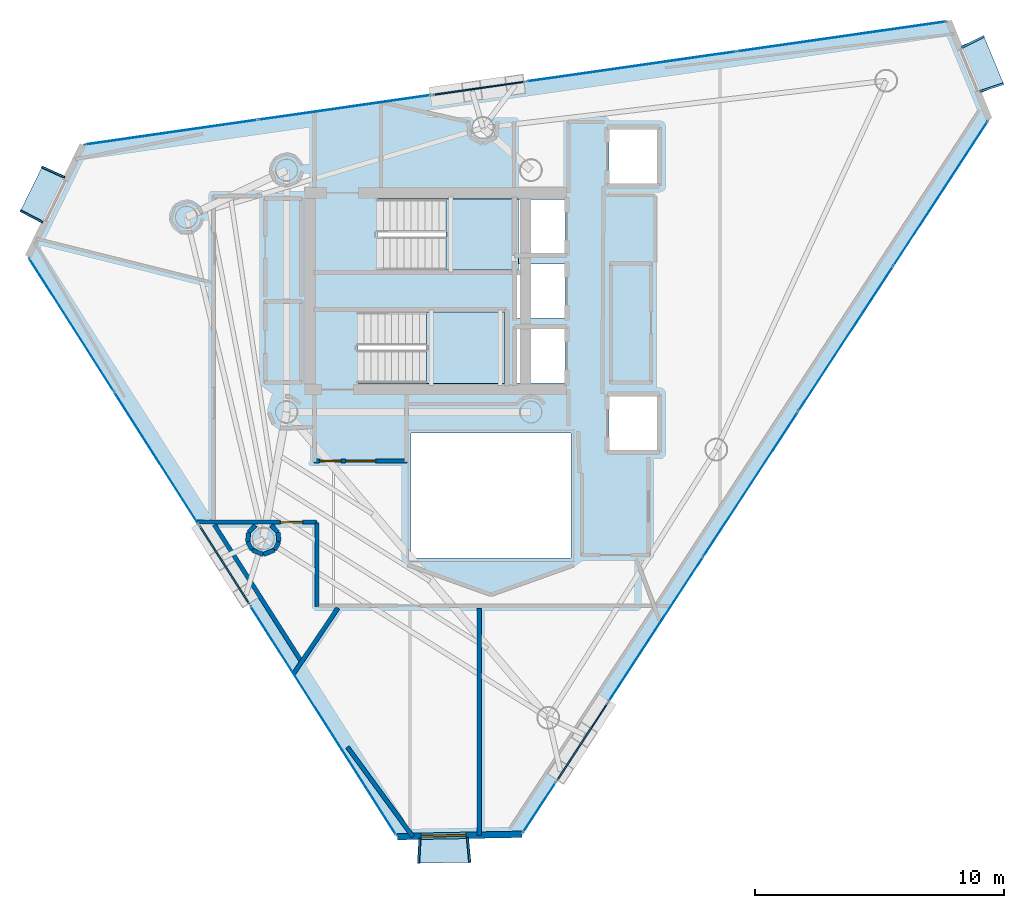
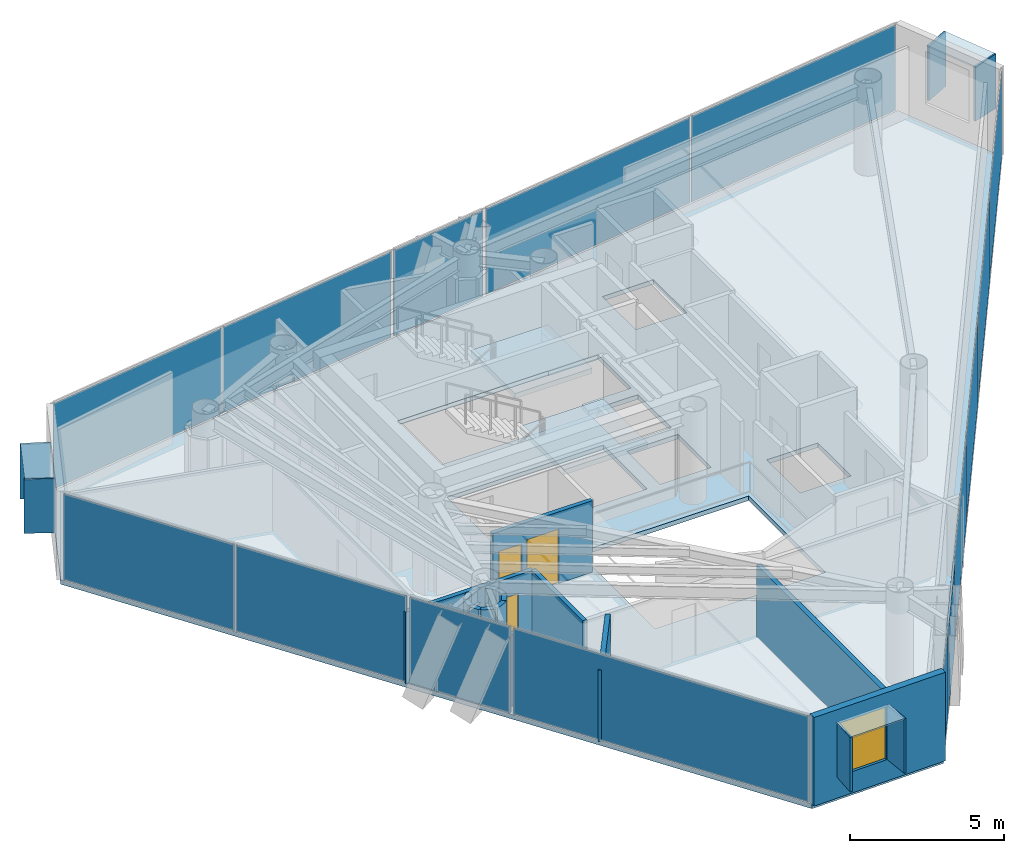
# One storey, part 19 of 25: 24 plates, 16 walls, 3 doors, 3 slabs, 1 window, 4 openings, 11 elements without a shape of their own.
"""IFC4 building model written with IfcOpenShell, lengths in metres."""

from ifc_helpers import new_model, si_unit, direction, frame, frame_2d, origin, origin_2d, place, context, subcontext, project, spatial, polyline, rectangle, outline, extrude, material, layer, layer_set, type_object, element, fill, aggregate, save


model = new_model("IFC4")

# Units and contexts
model_context = context("Model", 3, precision=1e-05, world=origin(), true_north=direction((0.0, 1.0)))
body_context = subcontext(model_context, "Body", "Model", "MODEL_VIEW")
ifc_project = project(units=[si_unit("LENGTHUNIT", "METRE"), si_unit("AREAUNIT", "SQUARE_METRE"), si_unit("VOLUMEUNIT", "CUBIC_METRE"), si_unit("PLANEANGLEUNIT", "RADIAN"), si_unit("MASSUNIT", "GRAM", prefix="KILO")], contexts=[model_context])

# Site, building, storey
site_placement = place(None, origin())
site = spatial("IfcSite", under=ifc_project, at=site_placement, CompositionType="ELEMENT")
building_placement = place(site_placement, origin())
building = spatial("IfcBuilding", under=site, at=building_placement, Name="Qianvela Tower", CompositionType="ELEMENT")
storey_placement = place(building_placement, frame((0.0, 0.0, 291.699951171875)))
storey = spatial("IfcBuildingStorey", under=building, at=storey_placement, Name="L75", CompositionType="ELEMENT", Elevation=291.699951171875)

# Curtain wall, plate
ifc_material_1 = material(Name="Anodised Architectural Aluminium and Insulated Spandrel Panel", Category="aluminium")
ifc_layer_1 = layer(ifc_material_1, 0.179931640625)
ifc_layer_set_1 = layer_set([ifc_layer_1], Name="Anodised Architectural Aluminium and Insulated Spandrel Panel")
curtain_wall_type_1 = type_object("IfcCurtainWallType", Name="CW-BRACEBAY", PredefinedType="USERDEFINED", material=ifc_layer_set_1)
curtain_wall_1_placement = place(storey_placement, origin())
curtain_wall_1 = element("IfcCurtainWall", 1, at=curtain_wall_1_placement, inside=storey, type_object=curtain_wall_type_1, Name="L75 CW-BRACEBAY Curtain Wall 02B", ObjectType="CURTAIN_WALL_SYSTEM", PredefinedType="USERDEFINED")
ifc_material_2 = material(Name="Insulated Aluminium Spandrel Panel with Mineral-Wool Backpan", Category="aluminium")
ifc_layer_2 = layer(ifc_material_2, 0.06005859375)
ifc_layer_set_2 = layer_set([ifc_layer_2], Name="Insulated Aluminium Spandrel Panel with Mineral-Wool Backpan")
plate_type_1 = type_object("IfcPlateType", Name="CW-BRACEBAY-PNL", PredefinedType="CURTAIN_PANEL", material=ifc_layer_set_2)
plate_1_placement = place(storey_placement, frame((36.314453125, 36.830810546875, 0.06494140625), z_axis=(0.0, 0.0, 1.0), x_axis=(-0.989957366221, -0.141366237355, 0.0)))
plate_1 = element("IfcPlate", 2, at=plate_1_placement, type_object=plate_type_1, Name="CW-9 panel 1.1", PredefinedType="CURTAIN_PANEL", context=body_context, shape_type="SweptSolid", body=[
    extrude(rectangle(XDim=3.679931640625, YDim=0.06005859375, at=origin_2d()), origin(), (0.0, 0.0, 1.0), 3.389892578125),
])
aggregate(curtain_wall_1, [plate_1])

curtain_wall_2_placement = place(storey_placement, origin())
curtain_wall_2 = element("IfcCurtainWall", 3, at=curtain_wall_2_placement, inside=storey, type_object=curtain_wall_type_1, Name="L75 CW-BRACEBAY Curtain Wall 04B", ObjectType="CURTAIN_WALL_SYSTEM", PredefinedType="USERDEFINED")
plate_2_placement = place(storey_placement, frame((26.113525390625, 17.71240234375, 0.06494140625), z_axis=(0.0, 0.0, 1.0), x_axis=(0.537011351478, -0.843575016453, 0.0)))
plate_2 = element("IfcPlate", 4, at=plate_2_placement, type_object=plate_type_1, Name="CW-9 panel 1.1", PredefinedType="CURTAIN_PANEL", context=body_context, shape_type="SweptSolid", body=[
    extrude(rectangle(XDim=3.679931640625, YDim=0.06005859375, at=origin_2d()), origin(), (0.0, 0.0, 1.0), 3.389892578125),
])
aggregate(curtain_wall_2, [plate_2])

curtain_wall_3_placement = place(storey_placement, origin())
curtain_wall_3 = element("IfcCurtainWall", 5, at=curtain_wall_3_placement, inside=storey, type_object=curtain_wall_type_1, Name="L75 CW-BRACEBAY Curtain Wall 06B", ObjectType="CURTAIN_WALL_SYSTEM", PredefinedType="USERDEFINED")
plate_3_placement = place(storey_placement, frame((40.459716796875, 10.6240234375, 0.06494140625), z_axis=(0.0, 0.0, 1.0), x_axis=(0.547079894154, 0.837080396027, 0.0)))
plate_3 = element("IfcPlate", 6, at=plate_3_placement, type_object=plate_type_1, Name="CW-9 panel 1.1", PredefinedType="CURTAIN_PANEL", context=body_context, shape_type="SweptSolid", body=[
    extrude(rectangle(XDim=3.669921875, YDim=0.06005859375, at=origin_2d()), origin(), (0.0, 0.0, 1.0), 3.389892578125),
])
aggregate(curtain_wall_3, [plate_3])

# Curtain wall, plates
ifc_material_3 = material(Name="Anodised Architectural Aluminium and Low-E Glass", Category="aluminium")
ifc_layer_3 = layer(ifc_material_3, 0.14990234375)
ifc_layer_set_3 = layer_set([ifc_layer_3], Name="Anodised Architectural Aluminium and Low-E Glass")
curtain_wall_type_2 = type_object("IfcCurtainWallType", Name="CW-COLIV-Z78", PredefinedType="USERDEFINED", material=ifc_layer_set_3)
curtain_wall_4_placement = place(storey_placement, origin())
curtain_wall_4 = element("IfcCurtainWall", 7, at=curtain_wall_4_placement, inside=storey, type_object=curtain_wall_type_2, Name="L75 CW-COLIV-Z78 Curtain Wall 02A", ObjectType="CURTAIN_WALL_SYSTEM", PredefinedType="USERDEFINED")
ifc_material_4 = material(Name="Double-Silver Low-E Insulated Glass", Category="glass")
ifc_layer_4 = layer(ifc_material_4, 0.02587890625)
ifc_layer_set_4 = layer_set([ifc_layer_4], Name="Double-Silver Low-E Insulated Glass")
plate_type_2 = type_object("IfcPlateType", Name="CW-COLIV-Z78-PNL", PredefinedType="CURTAIN_PANEL", material=ifc_layer_set_4)
plate_4_placement = place(storey_placement, frame((50.859375, 38.90771484375, 0.06005859375), z_axis=(0.0, 0.0, 1.0), x_axis=(-0.98995757639, -0.141364765579, 0.0)))
plate_4 = element("IfcPlate", 8, at=plate_4_placement, type_object=plate_type_2, Name="CW-6 panel 1.1", PredefinedType="CURTAIN_PANEL", context=body_context, shape_type="SweptSolid", body=[
    extrude(rectangle(XDim=8.445068359375, YDim=0.02587890625, at=origin_2d()), origin(), (0.0, 0.0, 1.0), 3.39990234375),
])
plate_5_placement = place(storey_placement, frame((42.439697265625, 37.705322265625, 0.06005859375), z_axis=(0.0, 0.0, 1.0), x_axis=(-0.98995757639, -0.141364765579, 0.0)))
plate_5 = element("IfcPlate", 9, at=plate_5_placement, type_object=plate_type_2, Name="CW-6 panel 2.1", PredefinedType="CURTAIN_PANEL", context=body_context, shape_type="SweptSolid", body=[
    extrude(rectangle(XDim=8.445068359375, YDim=0.02587890625, at=origin_2d()), origin(), (0.0, 0.0, 1.0), 3.39990234375),
])
aggregate(curtain_wall_4, [plate_4, plate_5])

curtain_wall_5_placement = place(storey_placement, origin())
curtain_wall_5 = element("IfcCurtainWall", 10, at=curtain_wall_5_placement, inside=storey, type_object=curtain_wall_type_2, Name="L75 CW-COLIV-Z78 Curtain Wall 02C", ObjectType="CURTAIN_WALL_SYSTEM", PredefinedType="USERDEFINED")
plate_6_placement = place(storey_placement, frame((30.927978515625, 36.0615234375, 0.06005859375), z_axis=(0.0, 0.0, 1.0), x_axis=(-0.989957586252, -0.141364696519, 0.0)))
plate_6 = element("IfcPlate", 11, at=plate_6_placement, type_object=plate_type_2, Name="CW-6 panel 1.1", PredefinedType="CURTAIN_PANEL", context=body_context, shape_type="SweptSolid", body=[
    extrude(rectangle(XDim=6.9521484375, YDim=0.02587890625, at=origin_2d()), origin(), (0.0, 0.0, 1.0), 3.39990234375),
])
plate_7_placement = place(storey_placement, frame((23.986328125, 35.0703125, 0.06005859375), z_axis=(0.0, 0.0, 1.0), x_axis=(-0.989957586252, -0.141364696519, 0.0)))
plate_7 = element("IfcPlate", 12, at=plate_7_placement, type_object=plate_type_2, Name="CW-6 panel 2.1", PredefinedType="CURTAIN_PANEL", context=body_context, shape_type="SweptSolid", body=[
    extrude(rectangle(XDim=6.9521484375, YDim=0.02587890625, at=origin_2d()), origin(), (0.0, 0.0, 1.0), 3.39990234375),
])
aggregate(curtain_wall_5, [plate_6, plate_7])

curtain_wall_6_placement = place(storey_placement, origin())
curtain_wall_6 = element("IfcCurtainWall", 13, at=curtain_wall_6_placement, inside=storey, type_object=curtain_wall_type_2, Name="L75 CW-COLIV-Z78 Curtain Wall 04A", ObjectType="CURTAIN_WALL_SYSTEM", PredefinedType="USERDEFINED")
plate_8_placement = place(storey_placement, frame((19.9794921875, 27.34814453125, 0.06005859375), z_axis=(0.0, 0.0, 1.0), x_axis=(0.537002759749, -0.8435804858, 0.0)))
plate_8 = element("IfcPlate", 14, at=plate_8_placement, type_object=plate_type_2, Name="CW-6 panel 1.1", PredefinedType="CURTAIN_PANEL", context=body_context, shape_type="SweptSolid", body=[
    extrude(rectangle(XDim=6.264892578125, YDim=0.02587890625, at=origin_2d()), origin(), (0.0, 0.0, 1.0), 3.39990234375),
])
plate_9_placement = place(storey_placement, frame((23.376220703125, 22.012451171875, 0.06005859375), z_axis=(0.0, 0.0, 1.0), x_axis=(0.537002759749, -0.8435804858, 0.0)))
plate_9 = element("IfcPlate", 15, at=plate_9_placement, type_object=plate_type_2, Name="CW-6 panel 2.1", PredefinedType="CURTAIN_PANEL", context=body_context, shape_type="SweptSolid", body=[
    extrude(rectangle(XDim=6.264892578125, YDim=0.02587890625, at=origin_2d()), origin(), (0.0, 0.0, 1.0), 3.39990234375),
])
aggregate(curtain_wall_6, [plate_8, plate_9])

# Curtain wall, plate
curtain_wall_7_placement = place(storey_placement, origin())
curtain_wall_7 = element("IfcCurtainWall", 16, at=curtain_wall_7_placement, inside=storey, type_object=curtain_wall_type_2, Name="L75 CW-COLIV-Z78 Curtain Wall 04C", ObjectType="CURTAIN_WALL_SYSTEM", PredefinedType="USERDEFINED")
plate_10_placement = place(storey_placement, frame((30.078369140625, 11.48388671875, 0.06005859375), z_axis=(0.0, 0.0, 1.0), x_axis=(0.537004230072, -0.843579549826, 0.0)))
plate_10 = element("IfcPlate", 17, at=plate_10_placement, type_object=plate_type_2, Name="CW-6 panel 1.1", PredefinedType="CURTAIN_PANEL", context=body_context, shape_type="SweptSolid", body=[
    extrude(rectangle(XDim=10.83642578125, YDim=0.02587890625, at=origin_2d()), origin(), (0.0, 0.0, 1.0), 3.39990234375),
])
aggregate(curtain_wall_7, [plate_10])

curtain_wall_8_placement = place(storey_placement, origin())
curtain_wall_8 = element("IfcCurtainWall", 18, at=curtain_wall_8_placement, inside=storey, type_object=curtain_wall_type_2, Name="L75 CW-COLIV-Z78 Curtain Wall 06A", ObjectType="CURTAIN_WALL_SYSTEM", PredefinedType="USERDEFINED")
plate_11_placement = place(storey_placement, frame((38.741943359375, 7.99560546875, 0.06005859375), z_axis=(0.0, 0.0, 1.0), x_axis=(0.547074433025, 0.837083965162, 0.0)))
plate_11 = element("IfcPlate", 19, at=plate_11_placement, type_object=plate_type_2, Name="CW-6 panel 1.1", PredefinedType="CURTAIN_PANEL", context=body_context, shape_type="SweptSolid", body=[
    extrude(rectangle(XDim=2.35986328125, YDim=0.02587890625, at=origin_2d()), origin(), (0.0, 0.0, 1.0), 3.39990234375),
])
aggregate(curtain_wall_8, [plate_11])

# Curtain wall, plates
curtain_wall_9_placement = place(storey_placement, origin())
curtain_wall_9 = element("IfcCurtainWall", 20, at=curtain_wall_9_placement, inside=storey, type_object=curtain_wall_type_2, Name="L75 CW-COLIV-Z78 Curtain Wall 06C", ObjectType="CURTAIN_WALL_SYSTEM", PredefinedType="USERDEFINED")
plate_12_placement = place(storey_placement, frame((43.413330078125, 15.143310546875, 0.06005859375), z_axis=(0.0, 0.0, 1.0), x_axis=(0.547083561809, 0.837077998993, 0.0)))
plate_12 = element("IfcPlate", 21, at=plate_12_placement, type_object=plate_type_2, Name="CW-6 panel 1.1", PredefinedType="CURTAIN_PANEL", context=body_context, shape_type="SweptSolid", body=[
    extrude(rectangle(XDim=6.877685546875, YDim=0.02587890625, at=origin_2d()), origin(), (0.0, 0.0, 1.0), 3.39990234375),
])
plate_13_placement = place(storey_placement, frame((47.217041015625, 20.963134765625, 0.06005859375), z_axis=(0.0, 0.0, 1.0), x_axis=(0.547083561809, 0.837077998993, 0.0)))
plate_13 = element("IfcPlate", 22, at=plate_13_placement, type_object=plate_type_2, Name="CW-6 panel 2.1", PredefinedType="CURTAIN_PANEL", context=body_context, shape_type="SweptSolid", body=[
    extrude(rectangle(XDim=6.90771484375, YDim=0.02587890625, at=origin_2d()), origin(), (0.0, 0.0, 1.0), 3.39990234375),
])
plate_14_placement = place(storey_placement, frame((51.029052734375, 26.795654296875, 0.06005859375), z_axis=(0.0, 0.0, 1.0), x_axis=(0.547083561809, 0.837077998993, 0.0)))
plate_14 = element("IfcPlate", 23, at=plate_14_placement, type_object=plate_type_2, Name="CW-6 panel 3.1", PredefinedType="CURTAIN_PANEL", context=body_context, shape_type="SweptSolid", body=[
    extrude(rectangle(XDim=6.90771484375, YDim=0.02587890625, at=origin_2d()), origin(), (0.0, 0.0, 1.0), 3.39990234375),
])
plate_15_placement = place(storey_placement, frame((54.832763671875, 32.61572265625, 0.06005859375), z_axis=(0.0, 0.0, 1.0), x_axis=(0.547083561809, 0.837077998993, 0.0)))
plate_15 = element("IfcPlate", 24, at=plate_15_placement, type_object=plate_type_2, Name="CW-6 panel 4.1", PredefinedType="CURTAIN_PANEL", context=body_context, shape_type="SweptSolid", body=[
    extrude(rectangle(XDim=6.877685546875, YDim=0.02587890625, at=origin_2d()), origin(), (0.0, 0.0, 1.0), 3.39990234375),
])
aggregate(curtain_wall_9, [plate_12, plate_13, plate_14, plate_15])

# Slab
ifc_material_5 = material(Name="Concrete C40", Category="concrete")
ifc_layer_5 = layer(ifc_material_5, 0.179931640625)
ifc_layer_set_5 = layer_set([ifc_layer_5], Name="Concrete C40")
slab_type_1 = type_object("IfcSlabType", Name="SL-FLOOR-180", PredefinedType="FLOOR", material=ifc_layer_set_5)
slab_1_placement = place(storey_placement, frame((0.0, 0.0, -0.179931640625)))
element("IfcSlab", 25, at=slab_1_placement, inside=storey, type_object=slab_type_1, Name="L75 Composite Structural Floor Slab", PredefinedType="FLOOR", context=body_context, shape_type="SweptSolid", body=[
    extrude(outline(polyline([(56.7744140625, 35.58642578125), (55.148193359375, 39.520263671875), (20.436279296875, 34.563232421875), (18.23828125, 30.08349609375), (33.047119140625, 6.8203125), (38.0361328125, 6.915771484375), (56.7744140625, 35.58642578125)]), holes=[polyline([(40.0, 23.0), (33.60009765625, 23.0), (33.60009765625, 18.0), (40.0, 18.0), (40.0, 23.0)]), polyline([(43.4599609375, 24.47998046875), (41.5400390625, 24.47998046875), (41.5400390625, 22.320068359375), (43.4599609375, 22.320068359375), (43.4599609375, 24.47998046875)]), polyline([(39.760009765625, 27.179931640625), (37.840087890625, 27.179931640625), (37.840087890625, 25.02001953125), (39.760009765625, 25.02001953125), (39.760009765625, 27.179931640625)]), polyline([(37.35009765625, 27.860107421875), (31.469970703125, 27.860107421875), (31.469970703125, 25.0), (37.35009765625, 25.0), (37.35009765625, 27.860107421875)]), polyline([(39.760009765625, 27.6201171875), (39.760009765625, 29.780029296875), (37.89990234375, 29.780029296875), (37.89990234375, 30.219970703125), (39.760009765625, 30.219970703125), (39.760009765625, 32.3798828125), (37.89990234375, 32.3798828125), (37.89990234375, 32.39990234375), (32.25, 32.39990234375), (32.25, 29.5400390625), (37.840087890625, 29.5400390625), (37.840087890625, 27.6201171875), (39.760009765625, 27.6201171875)]), polyline([(43.4599609375, 35.179931640625), (41.5400390625, 35.179931640625), (41.5400390625, 33.02001953125), (43.4599609375, 33.02001953125), (43.4599609375, 35.179931640625)])]), origin(), (0.0, 0.0, 1.0), 0.179931640625),
])

# Stair, slab
ifc_material_6 = material(Name="Concrete C40", Category="concrete")
stair_type = type_object("IfcStairType", Name="ST-DOGLEG-1350-R168-N22", PredefinedType="HALF_TURN_STAIR", material=ifc_material_6)
stair_1_placement = place(storey_placement, origin())
stair_1 = element("IfcStair", 26, at=stair_1_placement, inside=storey, type_object=stair_type, Name="L75 Smoke-Proof Core Stair ST-1", PredefinedType="HALF_TURN_STAIR")
ifc_material_7 = material(Name="Concrete C40", Category="concrete")
ifc_layer_6 = layer(ifc_material_7, 0.199951171875)
ifc_layer_set_6 = layer_set([ifc_layer_6], Name="Concrete C40")
slab_type_2 = type_object("IfcSlabType", Name="SL-STAIR-LANDING-200", PredefinedType="LANDING", material=ifc_layer_set_6)
slab_2_placement = place(storey_placement, frame((0.0, 0.0, 1.650146484375)))
slab_2 = element("IfcSlab", 27, at=slab_2_placement, type_object=slab_type_2, Name="ST-1 landing 1", PredefinedType="LANDING", context=body_context, shape_type="SweptSolid", body=[
    extrude(outline(polyline([(35.0, 29.5400390625), (37.89990234375, 29.5400390625), (37.89990234375, 32.39990234375), (35.0, 32.39990234375), (35.0, 29.5400390625)])), origin(), (0.0, 0.0, 1.0), 0.199951171875),
])
aggregate(stair_1, [slab_2])

stair_2_placement = place(storey_placement, origin())
stair_2 = element("IfcStair", 28, at=stair_2_placement, inside=storey, type_object=stair_type, Name="L75 Smoke-Proof Core Stair ST-2", PredefinedType="HALF_TURN_STAIR")
slab_3_placement = place(storey_placement, frame((0.0, 0.0, 1.650146484375)))
slab_3 = element("IfcSlab", 29, at=slab_3_placement, type_object=slab_type_2, Name="ST-2 landing 1", PredefinedType="LANDING", context=body_context, shape_type="SweptSolid", body=[
    extrude(outline(polyline([(34.219970703125, 25.0), (37.35009765625, 25.0), (37.35009765625, 27.860107421875), (34.219970703125, 27.860107421875), (34.219970703125, 25.0)])), origin(), (0.0, 0.0, 1.0), 0.199951171875),
])
aggregate(stair_2, [slab_3])

# Plates
ifc_material_8 = material(Name="Vitrified Architectural Terracotta Panel", Category="masonry")
ifc_layer_7 = layer(ifc_material_8, 0.06494140625)
ifc_layer_set_7 = layer_set([ifc_layer_7], Name="Vitrified Architectural Terracotta Panel")
plate_type_3 = type_object("IfcPlateType", Name="TERRACOTTA-SUNSHADE-HOOD-FOLD-B", PredefinedType="USERDEFINED", material=ifc_layer_set_7)
plate_16_placement = place(storey_placement, frame((18.81201171875, 32.5810546875, 2.9599609375), z_axis=(0.0, 0.0, 1.0), x_axis=(-0.440475126449, -0.89776481496, 0.0)))
element("IfcPlate", 30, at=plate_16_placement, inside=storey, type_object=plate_type_3, Name="L75 Terracotta Sunshade Hood FOLD-B", ObjectType="SUNSHADE", PredefinedType="USERDEFINED", context=body_context, shape_type="SweptSolid", body=[
    extrude(rectangle(XDim=2.0400390625, YDim=0.989990234375, at=origin_2d()), origin(), (0.0, 0.0, 1.0), 0.06005859375),
])
ifc_material_9 = material(Name="Vitrified Architectural Terracotta Panel", Category="masonry")
ifc_layer_8 = layer(ifc_material_9, 0.074951171875)
ifc_layer_set_8 = layer_set([ifc_layer_8], Name="Vitrified Architectural Terracotta Panel")
plate_type_4 = type_object("IfcPlateType", Name="TERRACOTTA-SUNSHADE-HOOD-FOLD-D", PredefinedType="USERDEFINED", material=ifc_layer_set_8)
for number, where, z_axis, x_axis, name in (
    (31, (56.501953125, 37.77685546875, 2.9599609375), (0.0, 0.0, 1.0), (-0.38199479977, 0.924164472888, 0.0), "L75 Terracotta Sunshade Hood FOLD-D"),
    (32, (34.912841796875, 6.27099609375, 2.9599609375), (0.0, 0.0, 1.0), (0.999817617008, 0.019097976871, 0.0), "L75 Terracotta Sunshade Hood FOLD-D"),
):
    element("IfcPlate", number, at=place(storey_placement, frame(where, z_axis=z_axis, x_axis=x_axis)), inside=storey, type_object=plate_type_4, Name=name, ObjectType="SUNSHADE", PredefinedType="USERDEFINED", context=body_context, shape_type="SweptSolid", body=[
        extrude(rectangle(XDim=2.0400390625, YDim=0.989990234375, at=origin_2d()), origin(), (0.0, 0.0, 1.0), 0.06005859375),
    ])
ifc_material_10 = material(Name="Vitrified Architectural Terracotta Side Fin Panel", Category="masonry")
ifc_layer_9 = layer(ifc_material_10, 0.070068359375)
ifc_layer_set_9 = layer_set([ifc_layer_9], Name="Vitrified Architectural Terracotta Side Fin Panel")
plate_type_5 = type_object("IfcPlateType", Name="TERRACOTTA-SUNSHADE-STRUT-FOLD-B", PredefinedType="USERDEFINED", material=ifc_layer_set_9)
for number, where, z_axis, x_axis, name in (
    (33, (19.248291015625, 33.4697265625, 0.85009765625), (0.0, 0.0, 1.0), (-0.412853282153, -0.910797544691, 0.0), "L75 Terracotta Sunshade Side Fin HL FOLD-B"),
    (34, (18.3759765625, 31.692138671875, 0.85009765625), (0.0, 0.0, 1.0), (-0.467686087475, -0.883894633756, 0.0), "L75 Terracotta Sunshade Side Fin HR FOLD-B"),
):
    element("IfcPlate", number, at=place(storey_placement, frame(where, z_axis=z_axis, x_axis=x_axis)), inside=storey, type_object=plate_type_5, Name=name, ObjectType="SUNSHADE", PredefinedType="USERDEFINED", context=body_context, shape_type="SweptSolid", body=[
        extrude(rectangle(XDim=0.070068359375, YDim=1.010009765625, at=origin_2d()), origin(), (0.0, 0.0, 1.0), 2.159912109375),
    ])
ifc_material_11 = material(Name="Vitrified Architectural Terracotta Side Fin Panel", Category="masonry")
ifc_layer_10 = layer(ifc_material_11, 0.080078125)
ifc_layer_set_10 = layer_set([ifc_layer_10], Name="Vitrified Architectural Terracotta Side Fin Panel")
plate_type_6 = type_object("IfcPlateType", Name="TERRACOTTA-SUNSHADE-STRUT-FOLD-D", PredefinedType="USERDEFINED", material=ifc_layer_set_10)
for number, where, z_axis, x_axis, name in (
    (35, (56.880126953125, 36.86181640625, 0.85009765625), (0.0, 0.0, 1.0), (-0.312455951, 0.949932249524, 0.0), "L75 Terracotta Sunshade Side Fin HL FOLD-D"),
    (36, (56.123779296875, 38.691650390625, 0.85009765625), (0.0, 0.0, 1.0), (-0.449432818556, 0.893314133777, 0.0), "L75 Terracotta Sunshade Side Fin HR FOLD-D"),
    (37, (33.923095703125, 6.251953125, 0.85009765625), (0.0, 0.0, 1.0), (0.998483625859, -0.055049513097, 0.0), "L75 Terracotta Sunshade Side Fin HL FOLD-D"),
    (38, (35.90283203125, 6.289794921875, 0.85009765625), (0.0, 0.0, 1.0), (0.995652981395, 0.093140435037, 0.0), "L75 Terracotta Sunshade Side Fin HR FOLD-D"),
):
    element("IfcPlate", number, at=place(storey_placement, frame(where, z_axis=z_axis, x_axis=x_axis)), inside=storey, type_object=plate_type_6, Name=name, ObjectType="SUNSHADE", PredefinedType="USERDEFINED", context=body_context, shape_type="SweptSolid", body=[
        extrude(rectangle(XDim=0.080078125, YDim=1.010009765625, at=origin_2d()), origin(), (0.0, 0.0, 1.0), 2.159912109375),
    ])

# Wall, opening, window
ifc_material_12 = material(Name="Terracotta Cladding on Concrete C40", Category="masonry")
ifc_layer_11 = layer(ifc_material_12, 0.260009765625)
ifc_layer_set_11 = layer_set([ifc_layer_11], Name="Terracotta Cladding on Concrete C40")
wall_type_1 = type_object("IfcWallType", Name="TERRACOTTA-WALL-260", PredefinedType="SOLIDWALL", material=ifc_layer_set_11)
wall_1_placement = place(storey_placement, frame((33.047119140625, 6.8203125, 0.0), z_axis=(0.0, 0.0, 1.0), x_axis=(0.999816998349, 0.019130337478, 0.0)))
wall_1 = element("IfcWall", 39, at=wall_1_placement, inside=storey, type_object=wall_type_1, Name="L75 Terracotta Chamfer Facet Wall 5", PredefinedType="SOLIDWALL", context=body_context, shape_type="SweptSolid", body=[
    extrude(rectangle(XDim=4.989990234375, YDim=0.260009765625, at=frame_2d((2.4951171875, 0.0))), origin(), (0.0, 0.0, 1.0), 3.52001953125),
])
opening_1_placement = place(wall_1_placement, frame((0.955078125, 0.0, 0.85009765625)))
opening_1 = element("IfcOpeningElement", 40, at=opening_1_placement, cuts=wall_1, Name="Opening W-01", PredefinedType="OPENING", context=body_context, shape_type="SweptSolid", body=[
    extrude(rectangle(XDim=1.800048828125, YDim=2.10009765625, at=frame_2d((0.89990234375, 1.050048828125))), frame((0.0, 0.139892578125, 0.0), z_axis=(0.0, -1.0, 0.0), x_axis=(1.0, 0.0, 0.0)), (0.0, 0.0, 1.0), 0.280029296875),
])
ifc_material_13 = material(Name="Thermally Broken Aluminium and Low-E Glass", Category="aluminium")
window_type = type_object("IfcWindowType", Name="WIN-TC-1800x2100", PartitioningType="DOUBLE_PANEL_VERTICAL", PredefinedType="WINDOW", material=ifc_material_13)
window_placement = place(opening_1_placement, origin())
window = element("IfcWindow", 41, at=window_placement, inside=storey, type_object=window_type, Name="L75 Chamfer Facet Window 5.1", OverallHeight=2.10009765625, OverallWidth=1.800048828125, PartitioningType="SINGLE_PANEL", PredefinedType="WINDOW", context=body_context, shape_type="SweptSolid", body=[
    extrude(rectangle(XDim=1.800048828125, YDim=2.10009765625, at=frame_2d((0.89990234375, 1.050048828125))), frame((0.0, 0.030029296875, 0.0), z_axis=(0.0, -1.0, 0.0), x_axis=(1.0, 0.0, 0.0)), (0.0, 0.0, 1.0), 0.06005859375),
])
fill(opening_1, window)

# Wall, openings, doors
ifc_material_14 = material(Name="Fire-Rated Gypsum and Concrete Block", Category="concrete")
ifc_layer_12 = layer(ifc_material_14, 0.159912109375)
ifc_layer_set_12 = layer_set([ifc_layer_12], Name="Fire-Rated Gypsum and Concrete Block")
wall_type_2 = type_object("IfcWallType", Name="WT-CORR-160", PredefinedType="PARTITIONING", material=ifc_layer_set_12)
wall_2_placement = place(storey_placement, frame((33.449951171875, 21.881103515625, 0.0), z_axis=(0.0, 0.0, 1.0), x_axis=(-1.0, 0.0, 0.0)))
wall_2 = element("IfcWall", 42, at=wall_2_placement, inside=storey, type_object=wall_type_2, Name="L75 Partition 5", PredefinedType="PARTITIONING", context=body_context, shape_type="SweptSolid", body=[
    extrude(rectangle(XDim=3.75, YDim=0.159912109375, at=frame_2d((1.875, 0.0))), origin(), (0.0, 0.0, 1.0), 2.840087890625),
])
opening_2_placement = place(wall_2_placement, frame((1.27490234375, 0.0, 0.0)))
opening_2 = element("IfcOpeningElement", 43, at=opening_2_placement, cuts=wall_2, Name="Opening D-LB1", PredefinedType="OPENING", context=body_context, shape_type="SweptSolid", body=[
    extrude(rectangle(XDim=1.199951171875, YDim=2.14990234375, at=frame_2d((0.60009765625, 1.074951171875))), frame((0.0, 0.08984375, 0.0), z_axis=(0.0, -1.0, 0.0), x_axis=(1.0, 0.0, 0.0)), (0.0, 0.0, 1.0), 0.179931640625),
])
opening_3_placement = place(wall_2_placement, frame((2.659912109375, 0.0, 0.0)))
opening_3 = element("IfcOpeningElement", 44, at=opening_3_placement, cuts=wall_2, Name="Opening D-LB2", PredefinedType="OPENING", context=body_context, shape_type="SweptSolid", body=[
    extrude(rectangle(XDim=0.860107421875, YDim=2.050048828125, at=frame_2d((0.43017578125, 1.02490234375))), frame((0.0, 0.08984375, 0.0), z_axis=(0.0, -1.0, 0.0), x_axis=(1.0, 0.0, 0.0)), (0.0, 0.0, 1.0), 0.179931640625),
])
ifc_material_15 = material(Name="Glazed Fire-Rated Steel Frame", Category="steel")
door_type_1 = type_object("IfcDoorType", Name="DT-LOBBY-FD90", OperationType="NOTDEFINED", PredefinedType="DOOR", material=ifc_material_15)
door_1_placement = place(opening_2_placement, origin())
door_1 = element("IfcDoor", 45, at=door_1_placement, inside=storey, type_object=door_type_1, Name="L75 Door L75 Firefighting Lobby South to L75 Floor Corridor", OperationType="SINGLE_SWING_RIGHT", OverallHeight=2.14990234375, OverallWidth=1.199951171875, PredefinedType="DOOR", context=body_context, shape_type="SweptSolid", body=[
    extrude(rectangle(XDim=1.199951171875, YDim=2.14990234375, at=frame_2d((0.60009765625, 1.074951171875))), frame((0.0, 0.02490234375, 0.0), z_axis=(0.0, -1.0, 0.0), x_axis=(1.0, 0.0, 0.0)), (0.0, 0.0, 1.0), 0.050048828125),
])
fill(opening_2, door_1)
ifc_material_16 = material(Name="Insulated Steel Fire Door Q355B", Category="steel")
door_type_2 = type_object("IfcDoorType", Name="DT-LOBBY-FD90-860", OperationType="NOTDEFINED", PredefinedType="DOOR", material=ifc_material_16)
door_2_placement = place(opening_3_placement, origin())
door_2 = element("IfcDoor", 46, at=door_2_placement, inside=storey, type_object=door_type_2, Name="L75 Door L75 Firefighting Lobby South to L75 Floor Corridor", OperationType="SINGLE_SWING_RIGHT", OverallHeight=2.050048828125, OverallWidth=0.860107421875, PredefinedType="DOOR", context=body_context, shape_type="SweptSolid", body=[
    extrude(rectangle(XDim=0.860107421875, YDim=2.050048828125, at=frame_2d((0.43017578125, 1.02490234375))), frame((0.0, 0.02490234375, 0.0), z_axis=(0.0, -1.0, 0.0), x_axis=(1.0, 0.0, 0.0)), (0.0, 0.0, 1.0), 0.050048828125),
])
fill(opening_3, door_2)

# Wall
wall_3_placement = place(storey_placement, frame((29.8310546875, 16.050048828125, 0.0), z_axis=(0.0, 0.0, 1.0), x_axis=(0.0, 1.0, 0.0)))
element("IfcWall", 47, at=wall_3_placement, inside=storey, type_object=wall_type_2, Name="L75 Partition 67", PredefinedType="PARTITIONING", context=body_context, shape_type="SweptSolid", body=[
    extrude(rectangle(XDim=3.349853515625, YDim=0.159912109375, at=frame_2d((1.6748046875, 0.0))), origin(), (0.0, 0.0, 1.0), 2.840087890625),
])

# Wall, opening, door
wall_4_placement = place(storey_placement, frame((29.800048828125, 19.430908203125, 0.0), z_axis=(0.0, 0.0, 1.0), x_axis=(-1.0, 0.0, 0.0)))
wall_4 = element("IfcWall", 48, at=wall_4_placement, inside=storey, type_object=wall_type_2, Name="L75 Partition 68", PredefinedType="PARTITIONING", context=body_context, shape_type="SweptSolid", body=[
    extrude(rectangle(XDim=4.800537109375, YDim=0.159912109375, at=frame_2d((2.400390625, 0.0))), origin(), (0.0, 0.0, 1.0), 2.840087890625),
])
opening_4_placement = place(wall_4_placement, frame((0.55029296875, 0.0, 0.0)))
opening_4 = element("IfcOpeningElement", 49, at=opening_4_placement, cuts=wall_4, Name="Opening D-KT1", PredefinedType="OPENING", context=body_context, shape_type="SweptSolid", body=[
    extrude(rectangle(XDim=0.89990234375, YDim=2.10009765625, at=frame_2d((0.449951171875, 1.050048828125))), frame((0.0, 0.08984375, 0.0), z_axis=(0.0, -1.0, 0.0), x_axis=(1.0, 0.0, 0.0)), (0.0, 0.0, 1.0), 0.179931640625),
])
ifc_material_17 = material(Name="Glazed Timber Kitchen Door", Category="wood")
door_type_3 = type_object("IfcDoorType", Name="DT-KITCH-900", OperationType="NOTDEFINED", PredefinedType="DOOR", material=ifc_material_17)
door_3_placement = place(opening_4_placement, origin())
door_3 = element("IfcDoor", 50, at=door_3_placement, inside=storey, type_object=door_type_3, Name="L75 Door Shared Communal Kitchen L75-01 to L75 Floor Corridor", OperationType="SINGLE_SWING_LEFT", OverallHeight=2.10009765625, OverallWidth=0.89990234375, PredefinedType="DOOR", context=body_context, shape_type="SweptSolid", body=[
    extrude(rectangle(XDim=0.89990234375, YDim=2.10009765625, at=frame_2d((0.449951171875, 1.050048828125))), frame((0.0, 0.02490234375, 0.0), z_axis=(0.0, -1.0, 0.0), x_axis=(1.0, 0.0, 0.0)), (0.0, 0.0, 1.0), 0.050048828125),
])
fill(opening_4, door_3)

# Walls
ifc_material_18 = material(Name="Moisture-Resistant Acoustic Plumbing Wall")
ifc_layer_13 = layer(ifc_material_18, 0.175048828125)
ifc_layer_set_13 = layer_set([ifc_layer_13], Name="Moisture-Resistant Acoustic Plumbing Wall")
wall_type_3 = type_object("IfcWallType", Name="WT-PLUMB-175", PredefinedType="PLUMBINGWALL", material=ifc_layer_set_13)
wall_5_placement = place(storey_placement, frame((30.658203125, 15.9873046875, 0.0), z_axis=(0.0, 0.0, 1.0), x_axis=(-0.559194255482, -0.82903666061, 0.0)))
element("IfcWall", 51, at=wall_5_placement, inside=storey, type_object=wall_type_3, Name="L75 Partition 74", PredefinedType="PLUMBINGWALL", context=body_context, shape_type="SweptSolid", body=[
    extrude(rectangle(XDim=3.191162109375, YDim=0.175048828125, at=frame_2d((1.595703125, 0.0))), origin(), (0.0, 0.0, 1.0), 2.840087890625),
])
wall_6_placement = place(storey_placement, frame((29.231201171875, 13.794189453125, 0.0), z_axis=(0.0, 0.0, 1.0), x_axis=(-0.5370149386, 0.843572732916, 0.0)))
element("IfcWall", 52, at=wall_6_placement, inside=storey, type_object=wall_type_3, Name="L75 Partition 75", PredefinedType="PLUMBINGWALL", context=body_context, shape_type="SweptSolid", body=[
    extrude(rectangle(XDim=6.5703125, YDim=0.175048828125, at=frame_2d((3.28515625, 0.0))), origin(), (0.0, 0.0, 1.0), 2.840087890625),
])
wall_7_placement = place(storey_placement, frame((27.347412109375, 19.3056640625, 0.0), z_axis=(0.0, 0.0, 1.0), x_axis=(-0.68932010071, -0.724456899171, 0.0)))
element("IfcWall", 53, at=wall_7_placement, inside=storey, type_object=wall_type_3, Name="L75 Partition 77", PredefinedType="PLUMBINGWALL", context=body_context, shape_type="SweptSolid", body=[
    extrude(rectangle(XDim=0.382080078125, YDim=0.175048828125, at=frame_2d((0.19091796875, 0.0))), origin(), (0.0, 0.0, 1.0), 2.840087890625),
])
wall_8_placement = place(storey_placement, frame((27.07568359375, 19.010498046875, 0.0), z_axis=(0.0, 0.0, 1.0), x_axis=(-0.097865889817, -0.995199611942, 0.0)))
element("IfcWall", 54, at=wall_8_placement, inside=storey, type_object=wall_type_3, Name="L75 Partition 78", PredefinedType="PLUMBINGWALL", context=body_context, shape_type="SweptSolid", body=[
    extrude(rectangle(XDim=0.354248046875, YDim=0.175048828125, at=frame_2d((0.17724609375, 0.0))), origin(), (0.0, 0.0, 1.0), 2.840087890625),
])
wall_9_placement = place(storey_placement, frame((27.04443359375, 18.640380859375, 0.0), z_axis=(0.0, 0.0, 1.0), x_axis=(0.471053526925, -0.882104628019, 0.0)))
element("IfcWall", 55, at=wall_9_placement, inside=storey, type_object=wall_type_3, Name="L75 Partition 79", PredefinedType="PLUMBINGWALL", context=body_context, shape_type="SweptSolid", body=[
    extrude(rectangle(XDim=0.35400390625, YDim=0.175048828125, at=frame_2d((0.177001953125, 0.0))), origin(), (0.0, 0.0, 1.0), 2.840087890625),
])
for number, where, z_axis, x_axis, name in (
    (56, (27.226806640625, 18.31396484375, 0.0), (0.0, 0.0, 1.0), (0.924048683901, -0.382274809242, 0.0), "L75 Partition 80"),
    (57, (27.681884765625, 18.135498046875, 0.0), (0.0, 0.0, 1.0), (0.924048683901, 0.382274809242, 0.0), "L75 Partition 81"),
):
    element("IfcWall", number, at=place(storey_placement, frame(where, z_axis=z_axis, x_axis=x_axis)), inside=storey, type_object=wall_type_3, Name=name, PredefinedType="PLUMBINGWALL", context=body_context, shape_type="SweptSolid", body=[
        extrude(rectangle(XDim=0.466796875, YDim=0.175048828125, at=frame_2d((0.2333984375, 0.0))), origin(), (0.0, 0.0, 1.0), 2.840087890625),
    ])
wall_10_placement = place(storey_placement, frame((28.128662109375, 18.328125, 0.0), z_axis=(0.0, 0.0, 1.0), x_axis=(0.471589913721, 0.881817981942, 0.0)))
element("IfcWall", 58, at=wall_10_placement, inside=storey, type_object=wall_type_3, Name="L75 Partition 82", PredefinedType="PLUMBINGWALL", context=body_context, shape_type="SweptSolid", body=[
    extrude(rectangle(XDim=0.35400390625, YDim=0.175048828125, at=frame_2d((0.177001953125, 0.0))), origin(), (0.0, 0.0, 1.0), 2.840087890625),
])
wall_11_placement = place(storey_placement, frame((28.299072265625, 18.657958984375, 0.0), z_axis=(0.0, 0.0, 1.0), x_axis=(-0.097865889817, 0.995199611942, 0.0)))
element("IfcWall", 59, at=wall_11_placement, inside=storey, type_object=wall_type_3, Name="L75 Partition 83", PredefinedType="PLUMBINGWALL", context=body_context, shape_type="SweptSolid", body=[
    extrude(rectangle(XDim=0.354248046875, YDim=0.175048828125, at=frame_2d((0.17724609375, 0.0))), origin(), (0.0, 0.0, 1.0), 2.840087890625),
])
wall_12_placement = place(storey_placement, frame((28.256103515625, 19.02880859375, 0.0), z_axis=(0.0, 0.0, 1.0), x_axis=(-0.68932010071, 0.724456899171, 0.0)))
element("IfcWall", 60, at=wall_12_placement, inside=storey, type_object=wall_type_3, Name="L75 Partition 84", PredefinedType="PLUMBINGWALL", context=body_context, shape_type="SweptSolid", body=[
    extrude(rectangle(XDim=0.382080078125, YDim=0.175048828125, at=frame_2d((0.19091796875, 0.0))), origin(), (0.0, 0.0, 1.0), 2.840087890625),
])
wall_13_placement = place(storey_placement, frame((36.327880859375, 15.972900390625, 0.0), z_axis=(0.0, 0.0, 1.0), x_axis=(0.0, -1.0, 0.0)))
element("IfcWall", 61, at=wall_13_placement, inside=storey, type_object=wall_type_3, Name="L75 Partition 87", PredefinedType="PLUMBINGWALL", context=body_context, shape_type="SweptSolid", body=[
    extrude(rectangle(XDim=9.10986328125, YDim=0.175048828125, at=frame_2d((4.554931640625, 0.0))), origin(), (0.0, 0.0, 1.0), 2.840087890625),
])
wall_14_placement = place(storey_placement, frame((33.673828125, 6.815185546875, 0.0), z_axis=(0.0, 0.0, 1.0), x_axis=(-0.589990500087, 0.807410186836, 0.0)))
element("IfcWall", 62, at=wall_14_placement, inside=storey, type_object=wall_type_3, Name="L75 Partition 89 seg 1", PredefinedType="PLUMBINGWALL", context=body_context, shape_type="SweptSolid", body=[
    extrude(rectangle(XDim=4.4580078125, YDim=0.175048828125, at=frame_2d((2.22900390625, 0.0))), origin(), (0.0, 0.0, 1.0), 2.840087890625),
])

save(model, "model.ifc")
